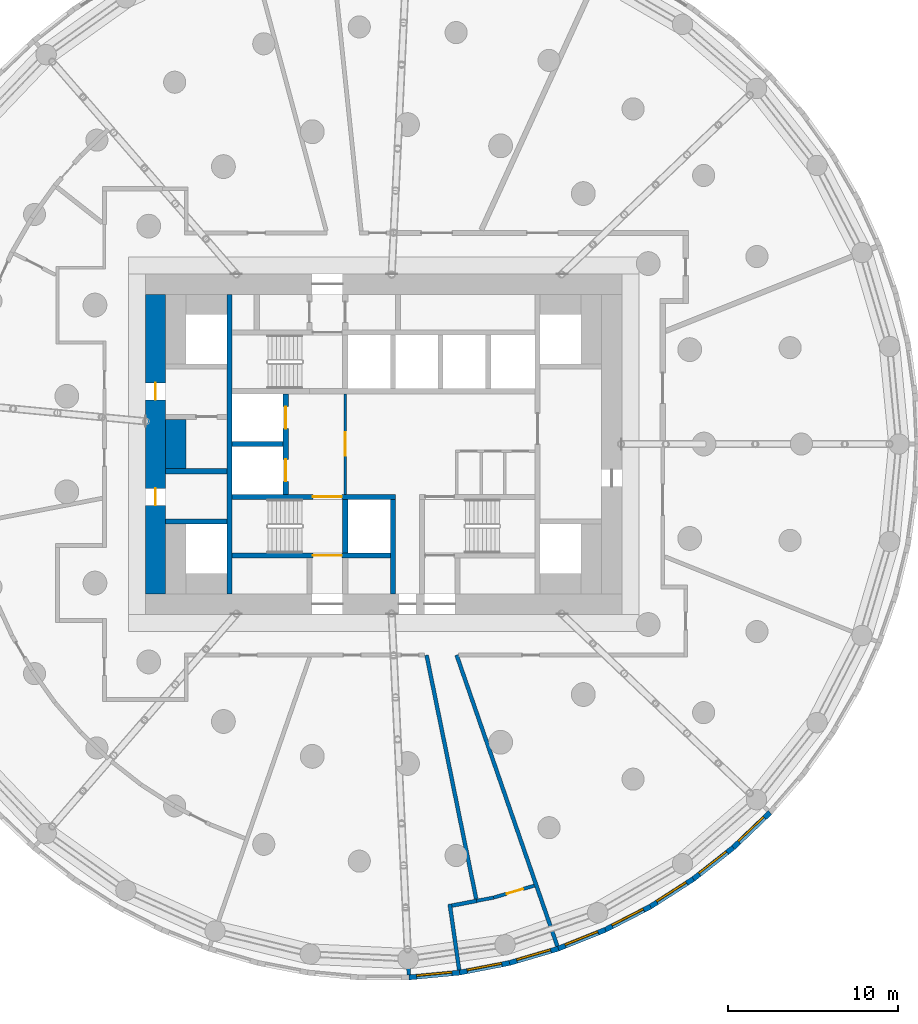
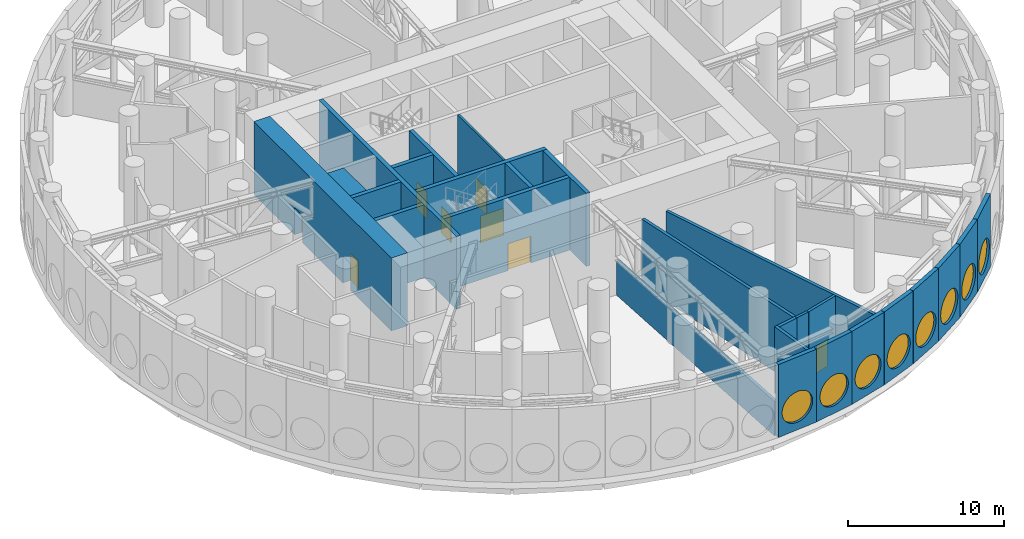
# One storey, part 10 of 17: 27 walls, 8 doors, 8 windows, 16 openings.
"""IFC4 building model written with IfcOpenShell, lengths in metres."""

from ifc_helpers import new_model, si_unit, direction, frame, frame_2d, origin, origin_2d, place, context, subcontext, project, spatial, rectangle, circle, extrude, material, layer, layer_set, type_object, element, fill, save


model = new_model("IFC4")

# Units and contexts
model_context = context("Model", 3, precision=1e-05, world=origin(), true_north=direction((0.0, 1.0)))
body_context = subcontext(model_context, "Body", "Model", "MODEL_VIEW")
ifc_project = project(units=[si_unit("LENGTHUNIT", "METRE"), si_unit("AREAUNIT", "SQUARE_METRE"), si_unit("VOLUMEUNIT", "CUBIC_METRE"), si_unit("PLANEANGLEUNIT", "RADIAN"), si_unit("MASSUNIT", "GRAM", prefix="KILO")], contexts=[model_context])

# Site, building, storey
site_placement = place(None, origin())
site = spatial("IfcSite", under=ifc_project, at=site_placement, CompositionType="ELEMENT")
building_placement = place(site_placement, origin())
building = spatial("IfcBuilding", under=site, at=building_placement, Name="Tracery Tower", CompositionType="ELEMENT")
storey_placement = place(building_placement, frame((0.0, 0.0, 120.0)))
storey = spatial("IfcBuildingStorey", under=building, at=storey_placement, Name="L30 Plant", CompositionType="ELEMENT", Elevation=120.0)

# Wall, opening, door
ifc_material_1 = material(Name="Plasterboard on steel studs", Category="steel")
ifc_layer_1 = layer(ifc_material_1, 0.14990234375)
ifc_layer_set_1 = layer_set([ifc_layer_1], Name="Core lobby partition 150")
wall_type_1 = type_object("IfcWallType", Name="Core lobby partition 150", PredefinedType="SOLIDWALL", material=ifc_layer_set_1)
wall_1_placement = place(storey_placement, frame((-2.25, -2.949951171875, 0.0), z_axis=(0.0, 0.0, 1.0), x_axis=(0.0, 1.0, 0.0)))
wall_1 = element("IfcWall", 1, at=wall_1_placement, inside=storey, type_object=wall_type_1, Name="L30 Plant FF lobby E", PredefinedType="SOLIDWALL", context=body_context, shape_type="SweptSolid", body=[
    extrude(rectangle(XDim=5.89990234375, YDim=0.14990234375, at=frame_2d((2.949951171875, 0.0))), origin(), (0.0, 0.0, 1.0), 5.699951171875),
])
opening_1_placement = place(wall_1_placement, frame((2.25, 0.0, 0.0)))
opening_1 = element("IfcOpeningElement", 2, at=opening_1_placement, cuts=wall_1, Name="Opening KD8", PredefinedType="OPENING", context=body_context, shape_type="SweptSolid", body=[
    extrude(rectangle(XDim=1.39990234375, YDim=2.10009765625, at=frame_2d((0.699951171875, 1.050048828125))), frame((0.0, 0.074951171875, 0.0), z_axis=(0.0, -1.0, 0.0), x_axis=(1.0, 0.0, 0.0)), (0.0, 0.0, 1.0), 0.14990234375),
])
ifc_material_2 = material(Name="Steel fire door", Category="steel")
door_type_1 = type_object("IfcDoorType", Name="Core lobby door 1400 double", OperationType="NOTDEFINED", PredefinedType="DOOR", material=ifc_material_2)
door_1_placement = place(opening_1_placement, origin())
door_1 = element("IfcDoor", 3, at=door_1_placement, inside=storey, type_object=door_type_1, Name="Fire-fighting lobby door", OperationType="DOUBLE_DOOR_SINGLE_SWING", OverallHeight=2.10009765625, OverallWidth=1.39990234375, PredefinedType="DOOR", context=body_context, shape_type="SweptSolid", body=[
    extrude(rectangle(XDim=1.39990234375, YDim=2.10009765625, at=frame_2d((0.699951171875, 1.050048828125))), frame((0.0, 0.02490234375, 0.0), z_axis=(0.0, -1.0, 0.0), x_axis=(1.0, 0.0, 0.0)), (0.0, 0.0, 1.0), 0.050048828125),
])
fill(opening_1, door_1)

# Wall
ifc_material_3 = material(Name="Concrete C60/75", Category="concrete")
ifc_layer_2 = layer(ifc_material_3, 1.199951171875)
ifc_layer_set_2 = layer_set([ifc_layer_2], Name="Core strip wall 1200 C60")
wall_type_2 = type_object("IfcWallType", Name="Core strip wall 1200 C60", PredefinedType="SOLIDWALL", material=ifc_layer_set_2)
wall_2_placement = place(storey_placement, frame((-12.199951171875, -1.449951171875, 0.0), z_axis=(0.0, 0.0, 1.0), x_axis=(0.0, 1.0, 0.0)))
element("IfcWall", 4, at=wall_2_placement, inside=storey, type_object=wall_type_2, Name="L30 Plant wing strip -1 -1.6", PredefinedType="SOLIDWALL", context=body_context, shape_type="SweptSolid", body=[
    extrude(rectangle(XDim=2.89990234375, YDim=1.199951171875, at=frame_2d((1.449951171875, 0.0))), origin(), (0.0, 0.0, 1.0), 5.699951171875),
])

# Wall, openings, doors
ifc_material_4 = material(Name="Concrete C60/75", Category="concrete")
ifc_layer_3 = layer(ifc_material_4, 1.199951171875)
ifc_layer_set_3 = layer_set([ifc_layer_3], Name="Core wall 1200 C60")
wall_type_3 = type_object("IfcWallType", Name="Core wall 1200 C60", PredefinedType="SOLIDWALL", material=ifc_layer_set_3)
wall_3_placement = place(storey_placement, frame((-13.39990234375, -8.800048828125, 0.0), z_axis=(0.0, 0.0, 1.0), x_axis=(0.0, 1.0, 0.0)))
wall_3 = element("IfcWall", 5, at=wall_3_placement, inside=storey, type_object=wall_type_3, Name="L30 Plant outer W", PredefinedType="SOLIDWALL", context=body_context, shape_type="SweptSolid", body=[
    extrude(rectangle(XDim=17.60009765625, YDim=1.199951171875, at=frame_2d((8.800048828125, 0.0))), origin(), (0.0, 0.0, 1.0), 5.699951171875),
])
opening_2_placement = place(wall_3_placement, frame((5.199951171875, 0.0, 0.0)))
opening_2 = element("IfcOpeningElement", 6, at=opening_2_placement, cuts=wall_3, Name="Opening KD18", PredefinedType="OPENING", context=body_context, shape_type="SweptSolid", body=[
    extrude(rectangle(XDim=1.0, YDim=2.10009765625, at=frame_2d((0.5, 1.050048828125))), frame((0.0, 0.60009765625, 0.0), z_axis=(0.0, -1.0, 0.0), x_axis=(1.0, 0.0, 0.0)), (0.0, 0.0, 1.0), 1.199951171875),
])
opening_3_placement = place(wall_3_placement, frame((11.39990234375, 0.0, 0.0)))
opening_3 = element("IfcOpeningElement", 7, at=opening_3_placement, cuts=wall_3, Name="Opening KD18", PredefinedType="OPENING", context=body_context, shape_type="SweptSolid", body=[
    extrude(rectangle(XDim=1.0, YDim=2.10009765625, at=frame_2d((0.5, 1.050048828125))), frame((0.0, 0.60009765625, 0.0), z_axis=(0.0, -1.0, 0.0), x_axis=(1.0, 0.0, 0.0)), (0.0, 0.0, 1.0), 1.199951171875),
])
ifc_material_5 = material(Name="Steel fire door", Category="steel")
door_type_2 = type_object("IfcDoorType", Name="Core exit door 1000", OperationType="NOTDEFINED", PredefinedType="DOOR", material=ifc_material_5)
door_2_placement = place(opening_2_placement, origin())
door_2 = element("IfcDoor", 8, at=door_2_placement, inside=storey, type_object=door_type_2, Name="Core exit door", OperationType="DOUBLE_DOOR_SINGLE_SWING", OverallHeight=2.10009765625, OverallWidth=1.0, PredefinedType="DOOR", context=body_context, shape_type="SweptSolid", body=[
    extrude(rectangle(XDim=1.0, YDim=2.10009765625, at=frame_2d((0.5, 1.050048828125))), frame((0.0, 0.02490234375, 0.0), z_axis=(0.0, -1.0, 0.0), x_axis=(1.0, 0.0, 0.0)), (0.0, 0.0, 1.0), 0.050048828125),
])
fill(opening_2, door_2)
door_3_placement = place(opening_3_placement, origin())
door_3 = element("IfcDoor", 9, at=door_3_placement, inside=storey, type_object=door_type_2, Name="Core exit door", OperationType="DOUBLE_DOOR_SINGLE_SWING", OverallHeight=2.10009765625, OverallWidth=1.0, PredefinedType="DOOR", context=body_context, shape_type="SweptSolid", body=[
    extrude(rectangle(XDim=1.0, YDim=2.10009765625, at=frame_2d((0.5, 1.050048828125))), frame((0.0, 0.02490234375, 0.0), z_axis=(0.0, -1.0, 0.0), x_axis=(1.0, 0.0, 0.0)), (0.0, 0.0, 1.0), 0.050048828125),
])
fill(opening_3, door_3)

# Wall
ifc_material_6 = material(Name="Concrete blockwork", Category="masonry")
ifc_layer_4 = layer(ifc_material_6, 0.199951171875)
ifc_layer_set_4 = layer_set([ifc_layer_4], Name="Fire lobby wall 200")
wall_type_4 = type_object("IfcWallType", Name="Fire lobby wall 200", PredefinedType="PARTITIONING", material=ifc_layer_set_4)
wall_4_placement = place(storey_placement, frame((5.465087890625, -26.839599609375, 0.0), z_axis=(0.0, 0.0, 1.0), x_axis=(0.981931096213, 0.189238796999, 0.0)))
element("IfcWall", 10, at=wall_4_placement, inside=storey, type_object=wall_type_4, Name="Fire lobby wall 200", PredefinedType="PARTITIONING", context=body_context, shape_type="SweptSolid", body=[
    extrude(rectangle(XDim=1.017822265625, YDim=0.199951171875, at=frame_2d((0.5087890625, 0.0))), origin(), (0.0, 0.0, 1.0), 5.199951171875),
])

# Wall, opening, door
wall_5_placement = place(storey_placement, frame((8.85791015625, -25.9443359375, 0.0), z_axis=(0.0, 0.0, 1.0), x_axis=(-0.959504098974, -0.281694664577, 0.0)))
wall_5 = element("IfcWall", 11, at=wall_5_placement, inside=storey, type_object=wall_type_4, Name="Fire lobby wall 200", PredefinedType="PARTITIONING", context=body_context, shape_type="SweptSolid", body=[
    extrude(rectangle(XDim=2.494384765625, YDim=0.199951171875, at=frame_2d((1.2470703125, 0.0))), origin(), (0.0, 0.0, 1.0), 5.199951171875),
])
opening_4_placement = place(wall_5_placement, frame((0.689697265625, 0.0, 0.0)))
opening_4 = element("IfcOpeningElement", 12, at=opening_4_placement, cuts=wall_5, Name="Opening SB-P30-15", PredefinedType="OPENING", context=body_context, shape_type="SweptSolid", body=[
    extrude(rectangle(XDim=1.0, YDim=2.10009765625, at=frame_2d((0.5, 1.050048828125))), frame((0.0, 0.10009765625, 0.0), z_axis=(0.0, -1.0, 0.0), x_axis=(1.0, 0.0, 0.0)), (0.0, 0.0, 1.0), 0.199951171875),
])
ifc_material_7 = material(Name="Steel fire door", Category="steel")
door_type_3 = type_object("IfcDoorType", Name="Fire lobby door 1000", OperationType="NOTDEFINED", PredefinedType="DOOR", material=ifc_material_7)
door_4_placement = place(opening_4_placement, origin())
door_4 = element("IfcDoor", 13, at=door_4_placement, inside=storey, type_object=door_type_3, Name="Fire lobby door 1000", OperationType="SINGLE_SWING_RIGHT", OverallHeight=2.10009765625, OverallWidth=1.0, PredefinedType="DOOR", context=body_context, shape_type="SweptSolid", body=[
    extrude(rectangle(XDim=1.0, YDim=2.10009765625, at=frame_2d((0.5, 1.050048828125))), frame((0.0, 0.02490234375, 0.0), z_axis=(0.0, -1.0, 0.0), x_axis=(1.0, 0.0, 0.0)), (0.0, 0.0, 1.0), 0.050048828125),
])
fill(opening_4, door_4)

# Wall, opening, window
ifc_material_8 = material(Name="Precast concrete C50/60", Category="concrete")
ifc_layer_5 = layer(ifc_material_8, 0.300048828125)
ifc_layer_set_5 = layer_set([ifc_layer_5], Name="Plant louvre panel 3000 x 5700")
wall_type_5 = type_object("IfcWallType", Name="Plant louvre panel 3000 x 5700", PredefinedType="SOLIDWALL", material=ifc_layer_set_5)
wall_6_placement = place(storey_placement, frame((1.492919921875, -31.3388671875, 0.0), z_axis=(0.0, 0.0, 1.0), x_axis=(0.99547560533, 0.095017467833, 0.0)))
wall_6 = element("IfcWall", 14, at=wall_6_placement, inside=storey, type_object=wall_type_5, Name="Plant louvre panel 51 at L30 Plant", PredefinedType="SOLIDWALL", context=body_context, shape_type="SweptSolid", body=[
    extrude(rectangle(XDim=2.985595703125, YDim=0.300048828125, at=frame_2d((1.49267578125, 0.0))), origin(), (0.0, 0.0, 1.0), 5.699951171875),
])
opening_5_placement = place(wall_6_placement, frame((1.492919921875, 0.0, 1.800048828125)))
opening_5 = element("IfcOpeningElement", 15, at=opening_5_placement, cuts=wall_6, Name="Opening LV1", PredefinedType="OPENING", context=body_context, shape_type="SweptSolid", body=[
    extrude(circle(Radius=1.199951171875, at=origin_2d()), frame((0.0, 0.159912109375, 0.0), z_axis=(0.0, -1.0, 0.0), x_axis=(1.0, 0.0, 0.0)), (0.0, 0.0, 1.0), 0.320068359375),
])
ifc_material_9 = material(Name="Aluminium louvre, bronze anodised", Category="aluminium")
window_type = type_object("IfcWindowType", Name="Louvred oculus 2400, sill 600", PartitioningType="SINGLE_PANEL", PredefinedType="WINDOW", material=ifc_material_9)
window_1_placement = place(opening_5_placement, origin())
window_1 = element("IfcWindow", 16, at=window_1_placement, inside=storey, type_object=window_type, Name="Louvred oculus 51 at L30 Plant", OverallHeight=2.39990234375, OverallWidth=2.39990234375, PartitioningType="SINGLE_PANEL", PredefinedType="WINDOW", context=body_context, shape_type="SweptSolid", body=[
    extrude(circle(Radius=1.199951171875, at=origin_2d()), frame((0.0, 0.1201171875, 0.0), z_axis=(0.0, -1.0, 0.0), x_axis=(1.0, 0.0, 0.0)), (0.0, 0.0, 1.0), 0.10009765625),
])
fill(opening_5, window_1)

wall_7_placement = place(storey_placement, frame((4.465087890625, -31.05517578125, 0.0), z_axis=(0.0, 0.0, 1.0), x_axis=(0.981918853666, 0.189302310646, 0.0)))
wall_7 = element("IfcWall", 17, at=wall_7_placement, inside=storey, type_object=wall_type_5, Name="Plant louvre panel 52 at L30 Plant", PredefinedType="SOLIDWALL", context=body_context, shape_type="SweptSolid", body=[
    extrude(rectangle(XDim=2.985595703125, YDim=0.300048828125, at=frame_2d((1.49267578125, 0.0))), origin(), (0.0, 0.0, 1.0), 5.699951171875),
])
opening_6_placement = place(wall_7_placement, frame((1.492919921875, 0.0, 1.800048828125)))
opening_6 = element("IfcOpeningElement", 18, at=opening_6_placement, cuts=wall_7, Name="Opening LV1", PredefinedType="OPENING", context=body_context, shape_type="SweptSolid", body=[
    extrude(circle(Radius=1.199951171875, at=origin_2d()), frame((0.0, 0.159912109375, 0.0), z_axis=(0.0, -1.0, 0.0), x_axis=(1.0, 0.0, 0.0)), (0.0, 0.0, 1.0), 0.320068359375),
])
window_2_placement = place(opening_6_placement, origin())
window_2 = element("IfcWindow", 19, at=window_2_placement, inside=storey, type_object=window_type, Name="Louvred oculus 52 at L30 Plant", OverallHeight=2.39990234375, OverallWidth=2.39990234375, PartitioningType="SINGLE_PANEL", PredefinedType="WINDOW", context=body_context, shape_type="SweptSolid", body=[
    extrude(circle(Radius=1.199951171875, at=origin_2d()), frame((0.0, 0.1201171875, 0.0), z_axis=(0.0, -1.0, 0.0), x_axis=(1.0, 0.0, 0.0)), (0.0, 0.0, 1.0), 0.10009765625),
])
fill(opening_6, window_2)

wall_8_placement = place(storey_placement, frame((7.396728515625, -30.489990234375, 0.0), z_axis=(0.0, 0.0, 1.0), x_axis=(0.959502108153, 0.281701445593, 0.0)))
wall_8 = element("IfcWall", 20, at=wall_8_placement, inside=storey, type_object=wall_type_5, Name="Plant louvre panel 53 at L30 Plant", PredefinedType="SOLIDWALL", context=body_context, shape_type="SweptSolid", body=[
    extrude(rectangle(XDim=2.985595703125, YDim=0.300048828125, at=frame_2d((1.49267578125, 0.0))), origin(), (0.0, 0.0, 1.0), 5.699951171875),
])
opening_7_placement = place(wall_8_placement, frame((1.492919921875, 0.0, 1.800048828125)))
opening_7 = element("IfcOpeningElement", 21, at=opening_7_placement, cuts=wall_8, Name="Opening LV1", PredefinedType="OPENING", context=body_context, shape_type="SweptSolid", body=[
    extrude(circle(Radius=1.199951171875, at=origin_2d()), frame((0.0, 0.159912109375, 0.0), z_axis=(0.0, -1.0, 0.0), x_axis=(1.0, 0.0, 0.0)), (0.0, 0.0, 1.0), 0.320068359375),
])
window_3_placement = place(opening_7_placement, origin())
window_3 = element("IfcWindow", 22, at=window_3_placement, inside=storey, type_object=window_type, Name="Louvred oculus 53 at L30 Plant", OverallHeight=2.39990234375, OverallWidth=2.39990234375, PartitioningType="SINGLE_PANEL", PredefinedType="WINDOW", context=body_context, shape_type="SweptSolid", body=[
    extrude(circle(Radius=1.199951171875, at=origin_2d()), frame((0.0, 0.1201171875, 0.0), z_axis=(0.0, -1.0, 0.0), x_axis=(1.0, 0.0, 0.0)), (0.0, 0.0, 1.0), 0.10009765625),
])
fill(opening_7, window_3)

wall_9_placement = place(storey_placement, frame((10.261474609375, -29.64892578125, 0.0), z_axis=(0.0, 0.0, 1.0), x_axis=(0.928380795373, 0.371630325434, 0.0)))
wall_9 = element("IfcWall", 23, at=wall_9_placement, inside=storey, type_object=wall_type_5, Name="Plant louvre panel 54 at L30 Plant", PredefinedType="SOLIDWALL", context=body_context, shape_type="SweptSolid", body=[
    extrude(rectangle(XDim=2.98583984375, YDim=0.300048828125, at=frame_2d((1.492919921875, 0.0))), origin(), (0.0, 0.0, 1.0), 5.699951171875),
])
opening_8_placement = place(wall_9_placement, frame((1.492919921875, 0.0, 1.800048828125)))
opening_8 = element("IfcOpeningElement", 24, at=opening_8_placement, cuts=wall_9, Name="Opening LV1", PredefinedType="OPENING", context=body_context, shape_type="SweptSolid", body=[
    extrude(circle(Radius=1.199951171875, at=origin_2d()), frame((0.0, 0.159912109375, 0.0), z_axis=(0.0, -1.0, 0.0), x_axis=(1.0, 0.0, 0.0)), (0.0, 0.0, 1.0), 0.320068359375),
])
window_4_placement = place(opening_8_placement, origin())
window_4 = element("IfcWindow", 25, at=window_4_placement, inside=storey, type_object=window_type, Name="Louvred oculus 54 at L30 Plant", OverallHeight=2.39990234375, OverallWidth=2.39990234375, PartitioningType="SINGLE_PANEL", PredefinedType="WINDOW", context=body_context, shape_type="SweptSolid", body=[
    extrude(circle(Radius=1.199951171875, at=origin_2d()), frame((0.0, 0.1201171875, 0.0), z_axis=(0.0, -1.0, 0.0), x_axis=(1.0, 0.0, 0.0)), (0.0, 0.0, 1.0), 0.10009765625),
])
fill(opening_8, window_4)

wall_10_placement = place(storey_placement, frame((13.033447265625, -28.539306640625, 0.0), z_axis=(0.0, 0.0, 1.0), x_axis=(0.888831268481, 0.458234630043, 0.0)))
wall_10 = element("IfcWall", 26, at=wall_10_placement, inside=storey, type_object=wall_type_5, Name="Plant louvre panel 55 at L30 Plant", PredefinedType="SOLIDWALL", context=body_context, shape_type="SweptSolid", body=[
    extrude(rectangle(XDim=2.98583984375, YDim=0.300048828125, at=frame_2d((1.492919921875, 0.0))), origin(), (0.0, 0.0, 1.0), 5.699951171875),
])
opening_9_placement = place(wall_10_placement, frame((1.492919921875, 0.0, 1.800048828125)))
opening_9 = element("IfcOpeningElement", 27, at=opening_9_placement, cuts=wall_10, Name="Opening LV1", PredefinedType="OPENING", context=body_context, shape_type="SweptSolid", body=[
    extrude(circle(Radius=1.199951171875, at=origin_2d()), frame((0.0, 0.159912109375, 0.0), z_axis=(0.0, -1.0, 0.0), x_axis=(1.0, 0.0, 0.0)), (0.0, 0.0, 1.0), 0.320068359375),
])
window_5_placement = place(opening_9_placement, origin())
window_5 = element("IfcWindow", 28, at=window_5_placement, inside=storey, type_object=window_type, Name="Louvred oculus 55 at L30 Plant", OverallHeight=2.39990234375, OverallWidth=2.39990234375, PartitioningType="SINGLE_PANEL", PredefinedType="WINDOW", context=body_context, shape_type="SweptSolid", body=[
    extrude(circle(Radius=1.199951171875, at=origin_2d()), frame((0.0, 0.1201171875, 0.0), z_axis=(0.0, -1.0, 0.0), x_axis=(1.0, 0.0, 0.0)), (0.0, 0.0, 1.0), 0.10009765625),
])
fill(opening_9, window_5)

wall_11_placement = place(storey_placement, frame((15.687255859375, -27.171142578125, 0.0), z_axis=(0.0, 0.0, 1.0), x_axis=(0.841242231846, 0.540658401727, 0.0)))
wall_11 = element("IfcWall", 29, at=wall_11_placement, inside=storey, type_object=wall_type_5, Name="Plant louvre panel 56 at L30 Plant", PredefinedType="SOLIDWALL", context=body_context, shape_type="SweptSolid", body=[
    extrude(rectangle(XDim=2.98583984375, YDim=0.300048828125, at=frame_2d((1.492919921875, 0.0))), origin(), (0.0, 0.0, 1.0), 5.699951171875),
])
opening_10_placement = place(wall_11_placement, frame((1.492919921875, 0.0, 1.800048828125)))
opening_10 = element("IfcOpeningElement", 30, at=opening_10_placement, cuts=wall_11, Name="Opening LV1", PredefinedType="OPENING", context=body_context, shape_type="SweptSolid", body=[
    extrude(circle(Radius=1.199951171875, at=origin_2d()), frame((0.0, 0.159912109375, 0.0), z_axis=(0.0, -1.0, 0.0), x_axis=(1.0, 0.0, 0.0)), (0.0, 0.0, 1.0), 0.320068359375),
])
window_6_placement = place(opening_10_placement, origin())
window_6 = element("IfcWindow", 31, at=window_6_placement, inside=storey, type_object=window_type, Name="Louvred oculus 56 at L30 Plant", OverallHeight=2.39990234375, OverallWidth=2.39990234375, PartitioningType="SINGLE_PANEL", PredefinedType="WINDOW", context=body_context, shape_type="SweptSolid", body=[
    extrude(circle(Radius=1.199951171875, at=origin_2d()), frame((0.0, 0.1201171875, 0.0), z_axis=(0.0, -1.0, 0.0), x_axis=(1.0, 0.0, 0.0)), (0.0, 0.0, 1.0), 0.10009765625),
])
fill(opening_10, window_6)

wall_12_placement = place(storey_placement, frame((18.198974609375, -25.556884765625, 0.0), z_axis=(0.0, 0.0, 1.0), x_axis=(0.786043032847, 0.618171780747, 0.0)))
wall_12 = element("IfcWall", 32, at=wall_12_placement, inside=storey, type_object=wall_type_5, Name="Plant louvre panel 57 at L30 Plant", PredefinedType="SOLIDWALL", context=body_context, shape_type="SweptSolid", body=[
    extrude(rectangle(XDim=2.98583984375, YDim=0.300048828125, at=frame_2d((1.492919921875, 0.0))), origin(), (0.0, 0.0, 1.0), 5.699951171875),
])
opening_11_placement = place(wall_12_placement, frame((1.492919921875, 0.0, 1.800048828125)))
opening_11 = element("IfcOpeningElement", 33, at=opening_11_placement, cuts=wall_12, Name="Opening LV1", PredefinedType="OPENING", context=body_context, shape_type="SweptSolid", body=[
    extrude(circle(Radius=1.199951171875, at=origin_2d()), frame((0.0, 0.159912109375, 0.0), z_axis=(0.0, -1.0, 0.0), x_axis=(1.0, 0.0, 0.0)), (0.0, 0.0, 1.0), 0.320068359375),
])
window_7_placement = place(opening_11_placement, origin())
window_7 = element("IfcWindow", 34, at=window_7_placement, inside=storey, type_object=window_type, Name="Louvred oculus 57 at L30 Plant", OverallHeight=2.39990234375, OverallWidth=2.39990234375, PartitioningType="SINGLE_PANEL", PredefinedType="WINDOW", context=body_context, shape_type="SweptSolid", body=[
    extrude(circle(Radius=1.199951171875, at=origin_2d()), frame((0.0, 0.1201171875, 0.0), z_axis=(0.0, -1.0, 0.0), x_axis=(1.0, 0.0, 0.0)), (0.0, 0.0, 1.0), 0.10009765625),
])
fill(opening_11, window_7)

wall_13_placement = place(storey_placement, frame((20.5458984375, -23.711181640625, 0.0), z_axis=(0.0, 0.0, 1.0), x_axis=(0.723750841228, 0.690061388444, 0.0)))
wall_13 = element("IfcWall", 35, at=wall_13_placement, inside=storey, type_object=wall_type_5, Name="Plant louvre panel 58 at L30 Plant", PredefinedType="SOLIDWALL", context=body_context, shape_type="SweptSolid", body=[
    extrude(rectangle(XDim=2.985595703125, YDim=0.300048828125, at=frame_2d((1.49267578125, 0.0))), origin(), (0.0, 0.0, 1.0), 5.699951171875),
])
opening_12_placement = place(wall_13_placement, frame((1.492919921875, 0.0, 1.800048828125)))
opening_12 = element("IfcOpeningElement", 36, at=opening_12_placement, cuts=wall_13, Name="Opening LV1", PredefinedType="OPENING", context=body_context, shape_type="SweptSolid", body=[
    extrude(circle(Radius=1.199951171875, at=origin_2d()), frame((0.0, 0.159912109375, 0.0), z_axis=(0.0, -1.0, 0.0), x_axis=(1.0, 0.0, 0.0)), (0.0, 0.0, 1.0), 0.320068359375),
])
window_8_placement = place(opening_12_placement, origin())
window_8 = element("IfcWindow", 37, at=window_8_placement, inside=storey, type_object=window_type, Name="Louvred oculus 58 at L30 Plant", OverallHeight=2.39990234375, OverallWidth=2.39990234375, PartitioningType="SINGLE_PANEL", PredefinedType="WINDOW", context=body_context, shape_type="SweptSolid", body=[
    extrude(circle(Radius=1.199951171875, at=origin_2d()), frame((0.0, 0.1201171875, 0.0), z_axis=(0.0, -1.0, 0.0), x_axis=(1.0, 0.0, 0.0)), (0.0, 0.0, 1.0), 0.10009765625),
])
fill(opening_12, window_8)

# Walls
ifc_material_10 = material(Name="Concrete blockwork", Category="masonry")
ifc_layer_6 = layer(ifc_material_10, 0.22509765625)
ifc_layer_set_6 = layer_set([ifc_layer_6], Name="Plant room block wall 225")
wall_type_6 = type_object("IfcWallType", Name="Plant room block wall 225", PredefinedType="PARTITIONING", material=ifc_layer_set_6)
wall_14_placement = place(storey_placement, frame((4.0126953125, -27.11962890625, 0.0), z_axis=(0.0, 0.0, 1.0), x_axis=(0.981915682772, 0.189318757462, 0.0)))
element("IfcWall", 38, at=wall_14_placement, inside=storey, type_object=wall_type_6, Name="Plant room block wall 225", PredefinedType="PARTITIONING", context=body_context, shape_type="SweptSolid", body=[
    extrude(rectangle(XDim=1.479248046875, YDim=0.22509765625, at=frame_2d((0.73974609375, 0.0))), origin(), (0.0, 0.0, 1.0), 5.199951171875),
])
wall_15_placement = place(storey_placement, frame((4.443603515625, -30.906494140625, 0.0), z_axis=(0.0, 0.0, 1.0), x_axis=(-0.142302666682, 0.989823191815, 0.0)))
element("IfcWall", 39, at=wall_15_placement, inside=storey, type_object=wall_type_6, Name="Plant room block wall 225", PredefinedType="PARTITIONING", context=body_context, shape_type="SweptSolid", body=[
    extrude(rectangle(XDim=3.916748046875, YDim=0.22509765625, at=frame_2d((1.95849609375, 0.0))), origin(), (0.0, 0.0, 1.0), 5.199951171875),
])
wall_16_placement = place(storey_placement, frame((5.44287109375, -26.7294921875, 0.0), z_axis=(0.0, 0.0, 1.0), x_axis=(-0.199537394252, 0.979890212368, 0.0)))
element("IfcWall", 40, at=wall_16_placement, inside=storey, type_object=wall_type_6, Name="Plant room block wall 225", PredefinedType="PARTITIONING", context=body_context, shape_type="SweptSolid", body=[
    extrude(rectangle(XDim=14.623779296875, YDim=0.22509765625, at=frame_2d((7.31201171875, 0.0))), origin(), (0.0, 0.0, 1.0), 5.199951171875),
])
wall_17_placement = place(storey_placement, frame((10.21240234375, -29.507080078125, 0.0), z_axis=(0.0, 0.0, 1.0), x_axis=(-0.327058221259, 0.945004190418, 0.0)))
element("IfcWall", 41, at=wall_17_placement, inside=storey, type_object=wall_type_6, Name="Plant room block wall 225", PredefinedType="PARTITIONING", context=body_context, shape_type="SweptSolid", body=[
    extrude(rectangle(XDim=18.102783203125, YDim=0.22509765625, at=frame_2d((9.05126953125, 0.0))), origin(), (0.0, 0.0, 1.0), 5.199951171875),
])
ifc_material_11 = material(Name="Concrete blockwork", Category="masonry")
ifc_layer_7 = layer(ifc_material_11, 0.22509765625)
ifc_layer_set_7 = layer_set([ifc_layer_7], Name="Plant wall under outrigger truss 225")
wall_type_7 = type_object("IfcWallType", Name="Plant wall under outrigger truss 225", PredefinedType="PARTITIONING", material=ifc_layer_set_7)
wall_18_placement = place(storey_placement, frame((1.485595703125, -31.18896484375, 0.0), z_axis=(0.0, 0.0, 1.0), x_axis=(-0.047574456268, 0.998867694498, 0.0)))
element("IfcWall", 42, at=wall_18_placement, inside=storey, type_object=wall_type_7, Name="Plant wall under outrigger truss 225", PredefinedType="PARTITIONING", context=body_context, shape_type="SweptSolid", body=[
    extrude(rectangle(XDim=18.695068359375, YDim=0.22509765625, at=frame_2d((9.34765625, 0.0))), origin(), (0.0, 0.0, 1.0), 2.699951171875),
])
ifc_material_12 = material(Name="Concrete C60/75", Category="concrete")
ifc_layer_8 = layer(ifc_material_12, 0.300048828125)
ifc_layer_set_8 = layer_set([ifc_layer_8], Name="Shaft wall 300 C60")
wall_type_8 = type_object("IfcWallType", Name="Shaft wall 300 C60", PredefinedType="SOLIDWALL", material=ifc_layer_set_8)
wall_19_placement = place(storey_placement, frame((-8.89990234375, 0.0, 0.0), z_axis=(0.0, 0.0, 1.0), x_axis=(1.0, 0.0, 0.0)))
element("IfcWall", 43, at=wall_19_placement, inside=storey, type_object=wall_type_8, Name="L30 Plant FF split", PredefinedType="SOLIDWALL", context=body_context, shape_type="SweptSolid", body=[
    extrude(rectangle(XDim=3.0, YDim=0.300048828125, at=frame_2d((1.5, 0.0))), origin(), (0.0, 0.0, 1.0), 5.699951171875),
])

# Wall, openings, doors
wall_20_placement = place(storey_placement, frame((-5.75, -2.949951171875, 0.0), z_axis=(0.0, 0.0, 1.0), x_axis=(0.0, 1.0, 0.0)))
wall_20 = element("IfcWall", 44, at=wall_20_placement, inside=storey, type_object=wall_type_8, Name="L30 Plant FF doors", PredefinedType="SOLIDWALL", context=body_context, shape_type="SweptSolid", body=[
    extrude(rectangle(XDim=5.89990234375, YDim=0.300048828125, at=frame_2d((2.949951171875, 0.0))), origin(), (0.0, 0.0, 1.0), 5.699951171875),
])
opening_13_placement = place(wall_20_placement, frame((0.75, 0.0, 0.0)))
opening_13 = element("IfcOpeningElement", 45, at=opening_13_placement, cuts=wall_20, Name="Opening KD54", PredefinedType="OPENING", context=body_context, shape_type="SweptSolid", body=[
    extrude(rectangle(XDim=1.300048828125, YDim=2.10009765625, at=frame_2d((0.64990234375, 1.050048828125))), frame((0.0, 0.14990234375, 0.0), z_axis=(0.0, -1.0, 0.0), x_axis=(1.0, 0.0, 0.0)), (0.0, 0.0, 1.0), 0.300048828125),
])
opening_14_placement = place(wall_20_placement, frame((3.85009765625, 0.0, 0.0)))
opening_14 = element("IfcOpeningElement", 46, at=opening_14_placement, cuts=wall_20, Name="Opening KD55", PredefinedType="OPENING", context=body_context, shape_type="SweptSolid", body=[
    extrude(rectangle(XDim=1.300048828125, YDim=2.10009765625, at=frame_2d((0.64990234375, 1.050048828125))), frame((0.0, 0.14990234375, 0.0), z_axis=(0.0, -1.0, 0.0), x_axis=(1.0, 0.0, 0.0)), (0.0, 0.0, 1.0), 0.300048828125),
])
ifc_material_13 = material(Name="Steel fire door", Category="steel")
door_type_4 = type_object("IfcDoorType", Name="Landing door FF 1300", OperationType="NOTDEFINED", PredefinedType="DOOR", material=ifc_material_13)
door_5_placement = place(opening_13_placement, origin())
door_5 = element("IfcDoor", 47, at=door_5_placement, inside=storey, type_object=door_type_4, Name="Landing door FF1", OperationType="SLIDING_TO_LEFT", OverallHeight=2.10009765625, OverallWidth=1.300048828125, PredefinedType="DOOR", context=body_context, shape_type="SweptSolid", body=[
    extrude(rectangle(XDim=1.300048828125, YDim=2.10009765625, at=frame_2d((0.64990234375, 1.050048828125))), frame((0.0, 0.02490234375, 0.0), z_axis=(0.0, -1.0, 0.0), x_axis=(1.0, 0.0, 0.0)), (0.0, 0.0, 1.0), 0.050048828125),
])
fill(opening_13, door_5)
door_6_placement = place(opening_14_placement, origin())
door_6 = element("IfcDoor", 48, at=door_6_placement, inside=storey, type_object=door_type_4, Name="Landing door FF2", OperationType="SLIDING_TO_RIGHT", OverallHeight=2.10009765625, OverallWidth=1.300048828125, PredefinedType="DOOR", context=body_context, shape_type="SweptSolid", body=[
    extrude(rectangle(XDim=1.300048828125, YDim=2.10009765625, at=frame_2d((0.64990234375, 1.050048828125))), frame((0.0, 0.02490234375, 0.0), z_axis=(0.0, -1.0, 0.0), x_axis=(1.0, 0.0, 0.0)), (0.0, 0.0, 1.0), 0.050048828125),
])
fill(opening_14, door_6)

# Walls
wall_21_placement = place(storey_placement, frame((0.550048828125, -8.800048828125, 0.0), z_axis=(0.0, 0.0, 1.0), x_axis=(0.0, 1.0, 0.0)))
element("IfcWall", 49, at=wall_21_placement, inside=storey, type_object=wall_type_8, Name="L30 Plant OB2 E", PredefinedType="SOLIDWALL", context=body_context, shape_type="SweptSolid", body=[
    extrude(rectangle(XDim=5.550048828125, YDim=0.300048828125, at=frame_2d((2.77490234375, 0.0))), origin(), (0.0, 0.0, 1.0), 5.699951171875),
])
for number, where, z_axis, x_axis, name in (
    (50, (-12.800048828125, -4.550048828125, 0.0), (0.0, 0.0, 1.0), (1.0, 0.0, 0.0), "L30 Plant wing shaft wall -1 -4.55"),
    (51, (-12.800048828125, -1.60009765625, 0.0), (0.0, 0.0, 1.0), (1.0, 0.0, 0.0), "L30 Plant wing shaft wall -1 -1.60"),
):
    element("IfcWall", number, at=place(storey_placement, frame(where, z_axis=z_axis, x_axis=x_axis)), inside=storey, type_object=wall_type_8, Name=name, PredefinedType="SOLIDWALL", context=body_context, shape_type="SweptSolid", body=[
        extrude(rectangle(XDim=3.60009765625, YDim=0.300048828125, at=frame_2d((1.800048828125, 0.0))), origin(), (0.0, 0.0, 1.0), 5.699951171875),
    ])

# Wall, opening, door
ifc_material_14 = material(Name="Concrete C60/75", Category="concrete")
ifc_layer_9 = layer(ifc_material_14, 0.300048828125)
ifc_layer_set_9 = layer_set([ifc_layer_9], Name="Stair wall 300 C60")
wall_type_9 = type_object("IfcWallType", Name="Stair wall 300 C60", PredefinedType="SOLIDWALL", material=ifc_layer_set_9)
wall_22_placement = place(storey_placement, frame((-8.89990234375, -3.10009765625, 0.0), z_axis=(0.0, 0.0, 1.0), x_axis=(1.0, 0.0, 0.0)))
wall_22 = element("IfcWall", 52, at=wall_22_placement, inside=storey, type_object=wall_type_9, Name="L30 Plant row S", PredefinedType="SOLIDWALL", context=body_context, shape_type="SweptSolid", body=[
    extrude(rectangle(XDim=9.599853515625, YDim=0.300048828125, at=frame_2d((4.7998046875, 0.0))), origin(), (0.0, 0.0, 1.0), 5.699951171875),
])
opening_15_placement = place(wall_22_placement, frame((4.75, 0.0, 0.0)))
opening_15 = element("IfcOpeningElement", 53, at=opening_15_placement, cuts=wall_22, Name="Opening KD3", PredefinedType="OPENING", context=body_context, shape_type="SweptSolid", body=[
    extrude(rectangle(XDim=1.699951171875, YDim=2.10009765625, at=frame_2d((0.85009765625, 1.050048828125))), frame((0.0, 0.14990234375, 0.0), z_axis=(0.0, -1.0, 0.0), x_axis=(1.0, 0.0, 0.0)), (0.0, 0.0, 1.0), 0.300048828125),
])
ifc_material_15 = material(Name="Steel fire door", Category="steel")
door_type_5 = type_object("IfcDoorType", Name="Core stair door 1700 double", OperationType="NOTDEFINED", PredefinedType="DOOR", material=ifc_material_15)
door_7_placement = place(opening_15_placement, origin())
door_7 = element("IfcDoor", 54, at=door_7_placement, inside=storey, type_object=door_type_5, Name="Stair door ST1", OperationType="DOUBLE_DOOR_SINGLE_SWING", OverallHeight=2.10009765625, OverallWidth=1.699951171875, PredefinedType="DOOR", context=body_context, shape_type="SweptSolid", body=[
    extrude(rectangle(XDim=1.699951171875, YDim=2.10009765625, at=frame_2d((0.85009765625, 1.050048828125))), frame((0.0, 0.02490234375, 0.0), z_axis=(0.0, -1.0, 0.0), x_axis=(1.0, 0.0, 0.0)), (0.0, 0.0, 1.0), 0.050048828125),
])
fill(opening_15, door_7)

# Walls
wall_23_placement = place(storey_placement, frame((-2.25, -6.39990234375, 0.0), z_axis=(0.0, 0.0, 1.0), x_axis=(0.0, 1.0, 0.0)))
element("IfcWall", 55, at=wall_23_placement, inside=storey, type_object=wall_type_9, Name="L30 Plant ST1 E", PredefinedType="SOLIDWALL", context=body_context, shape_type="SweptSolid", body=[
    extrude(rectangle(XDim=3.14990234375, YDim=0.300048828125, at=frame_2d((1.574951171875, 0.0))), origin(), (0.0, 0.0, 1.0), 5.699951171875),
])
wall_24_placement = place(storey_placement, frame((-9.050048828125, -8.800048828125, 0.0), z_axis=(0.0, 0.0, 1.0), x_axis=(0.0, 1.0, 0.0)))
element("IfcWall", 56, at=wall_24_placement, inside=storey, type_object=wall_type_9, Name="L30 Plant F wall -9", PredefinedType="SOLIDWALL", context=body_context, shape_type="SweptSolid", body=[
    extrude(rectangle(XDim=17.60009765625, YDim=0.300048828125, at=frame_2d((8.800048828125, 0.0))), origin(), (0.0, 0.0, 1.0), 5.699951171875),
])

# Wall, opening, door
wall_25_placement = place(storey_placement, frame((-8.89990234375, -6.550048828125, 0.0), z_axis=(0.0, 0.0, 1.0), x_axis=(1.0, 0.0, 0.0)))
wall_25 = element("IfcWall", 57, at=wall_25_placement, inside=storey, type_object=wall_type_9, Name="L30 Plant F S W", PredefinedType="SOLIDWALL", context=body_context, shape_type="SweptSolid", body=[
    extrude(rectangle(XDim=9.2998046875, YDim=0.300048828125, at=frame_2d((4.64990234375, 0.0))), origin(), (0.0, 0.0, 1.0), 5.699951171875),
])
opening_16_placement = place(wall_25_placement, frame((4.75, 0.0, 0.0)))
opening_16 = element("IfcOpeningElement", 58, at=opening_16_placement, cuts=wall_25, Name="Opening KD3", PredefinedType="OPENING", context=body_context, shape_type="SweptSolid", body=[
    extrude(rectangle(XDim=1.699951171875, YDim=2.10009765625, at=frame_2d((0.85009765625, 1.050048828125))), frame((0.0, 0.14990234375, 0.0), z_axis=(0.0, -1.0, 0.0), x_axis=(1.0, 0.0, 0.0)), (0.0, 0.0, 1.0), 0.300048828125),
])
door_8_placement = place(opening_16_placement, origin())
door_8 = element("IfcDoor", 59, at=door_8_placement, inside=storey, type_object=door_type_5, Name="Stair door ST1 S", OperationType="DOUBLE_DOOR_SINGLE_SWING", OverallHeight=2.10009765625, OverallWidth=1.699951171875, PredefinedType="DOOR", context=body_context, shape_type="SweptSolid", body=[
    extrude(rectangle(XDim=1.699951171875, YDim=2.10009765625, at=frame_2d((0.85009765625, 1.050048828125))), frame((0.0, 0.02490234375, 0.0), z_axis=(0.0, -1.0, 0.0), x_axis=(1.0, 0.0, 0.0)), (0.0, 0.0, 1.0), 0.050048828125),
])
fill(opening_16, door_8)

save(model, "model.ifc")
